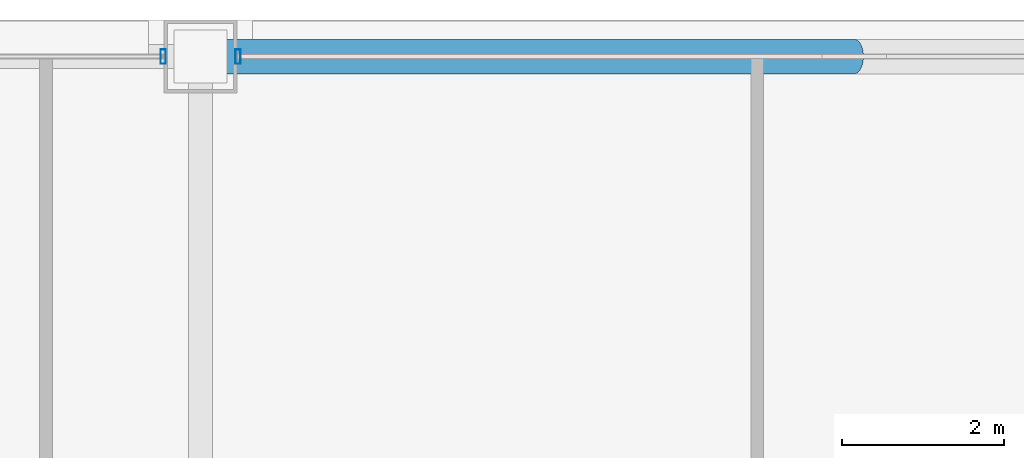
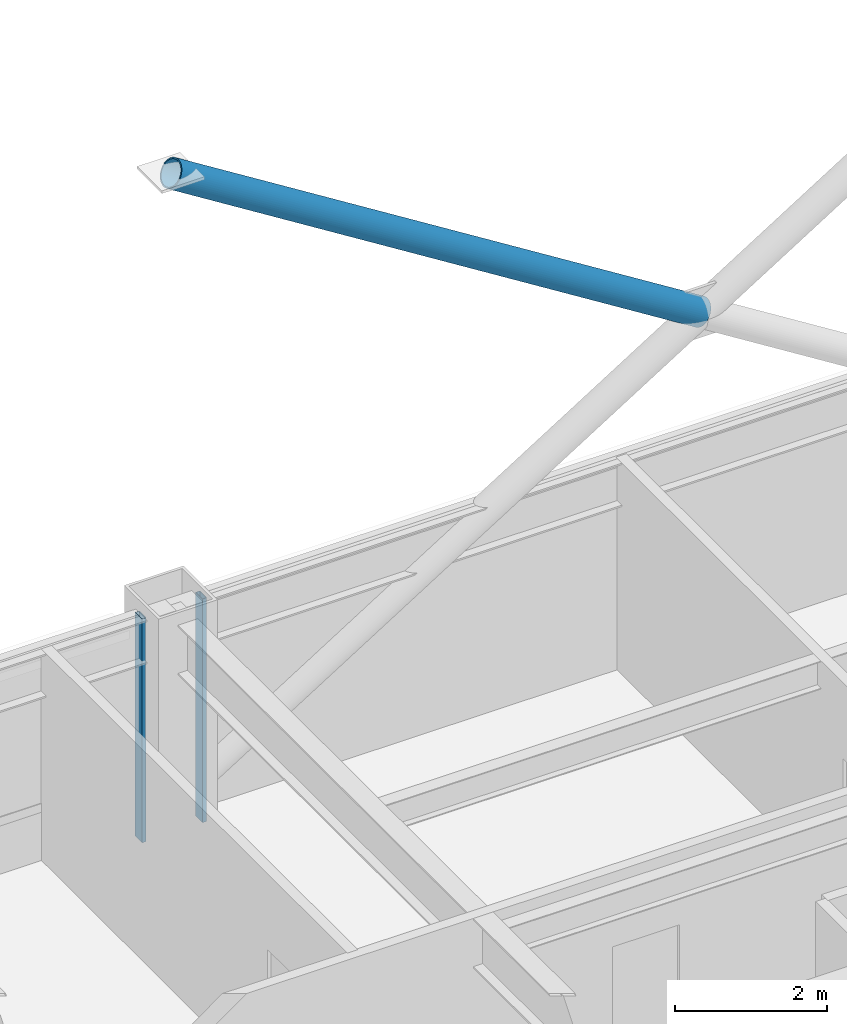
# One storey, part 19 of 29: 3 members, 2 elements without a shape of their own.
"""IFC4 building model written with IfcOpenShell, lengths in metres."""

from ifc_helpers import new_model, si_unit, direction, frame, origin, origin_2d, place, context, subcontext, project, spatial, hollow_rectangle, hollow_circle, extrude, material, layer, layer_set, material_profile, profile_set, type_object, element, aggregate, save


model = new_model("IFC4")

# Units and contexts
model_context = context("Model", 3, precision=1e-05, world=origin(), true_north=direction((0.0, 1.0)))
body_context = subcontext(model_context, "Body", "Model", "MODEL_VIEW")
ifc_project = project(units=[si_unit("LENGTHUNIT", "METRE"), si_unit("AREAUNIT", "SQUARE_METRE"), si_unit("VOLUMEUNIT", "CUBIC_METRE"), si_unit("PLANEANGLEUNIT", "RADIAN"), si_unit("MASSUNIT", "GRAM", prefix="KILO")], contexts=[model_context])

# Site, building, storey
site_placement = place(None, origin())
site = spatial("IfcSite", under=ifc_project, at=site_placement, CompositionType="ELEMENT")
building_placement = place(site_placement, origin())
building = spatial("IfcBuilding", under=site, at=building_placement, Name="Brelmoor Portico Tower", CompositionType="ELEMENT")
storey_placement = place(building_placement, frame((0.0, 0.0, 67.199951171875)))
storey = spatial("IfcBuildingStorey", under=building, at=storey_placement, Name="L17", CompositionType="ELEMENT", Elevation=67.199951171875)

# Member
ifc_material_1 = material(Name="Steel Q355B", Category="steel")
ifc_material_profile_1 = material_profile(ifc_material_1, hollow_circle(Radius=0.212890625, WallThickness=0.02001953125, at=origin_2d()), Name="CHS 426x20")
ifc_profile_set_1 = profile_set([ifc_material_profile_1], Name="Steel Q355B")
member_type_1 = type_object("IfcMemberType", Name="MB-BELT-DIAG1", PredefinedType="BRACE", material=ifc_profile_set_1)
member_1_placement = place(storey_placement, frame((0.0, 21.550048828125, 5.300048828125), z_axis=(-0.847109476093, 0.0, 0.531418418493), x_axis=(0.0, -1.0, 0.0)))
element("IfcMember", 1, at=member_1_placement, inside=storey, type_object=member_type_1, Name="L17 Split Mega-X Brace 037B2", PredefinedType="BRACE", context=body_context, shape_type="SweptSolid", body=[
    extrude(hollow_circle(Radius=0.212890625, WallThickness=0.02001953125, at=origin_2d()), origin(), (0.0, 0.0, 1.0), 9.5029296875),
])

# Curtain wall, member
ifc_material_2 = material(Name="Anodised Aluminium Alloy 6063-T6", Category="aluminium")
ifc_layer_1 = layer(ifc_material_2, 0.179931640625)
ifc_layer_set_1 = layer_set([ifc_layer_1], Name="Anodised Aluminium Alloy 6063-T6")
curtain_wall_type_1 = type_object("IfcCurtainWallType", Name="CW-TOWER-Z1", PredefinedType="NOTDEFINED", material=ifc_layer_set_1)
curtain_wall_1_placement = place(storey_placement, origin())
curtain_wall_1 = element("IfcCurtainWall", 2, at=curtain_wall_1_placement, inside=storey, type_object=curtain_wall_type_1, Name="L17 Curtain Wall CW-L17-02-2", PredefinedType="NOTDEFINED")
ifc_material_profile_2 = material_profile(ifc_material_2, hollow_rectangle(XDim=0.06494140625, YDim=0.179931640625, WallThickness=0.00390625, at=origin_2d()), Name="ALU MULLION 65x180")
ifc_profile_set_2 = profile_set([ifc_material_profile_2], Name="Anodised Aluminium Alloy 6063-T6")
member_type_2 = type_object("IfcMemberType", Name="MB-CW-MULL-180", PredefinedType="MULLION", material=ifc_profile_set_2)
member_2_placement = place(storey_placement, frame((-8.510009765625, 21.550048828125, -0.199951171875), z_axis=(0.0, 0.0, 1.0), x_axis=(1.0, 0.0, 0.0)))
member_2 = element("IfcMember", 3, at=member_2_placement, type_object=member_type_2, Name="CW-L17-02-2 Mullion 01", PredefinedType="MULLION", context=body_context, shape_type="SweptSolid", body=[
    extrude(hollow_rectangle(XDim=0.06494140625, YDim=0.179931640625, WallThickness=0.00390625, at=origin_2d()), origin(), (0.0, 0.0, 1.0), 3.60009765625),
])
aggregate(curtain_wall_1, [member_2])

ifc_layer_2 = layer(ifc_material_2, 0.179931640625)
ifc_layer_set_2 = layer_set([ifc_layer_2], Name="Anodised Aluminium Alloy 6063-T6")
curtain_wall_type_2 = type_object("IfcCurtainWallType", Name="CW-TOWER-Z1-XB", PredefinedType="NOTDEFINED", material=ifc_layer_set_2)
curtain_wall_2_placement = place(storey_placement, origin())
curtain_wall_2 = element("IfcCurtainWall", 4, at=curtain_wall_2_placement, inside=storey, type_object=curtain_wall_type_2, Name="L17 Curtain Wall CW-L17-02-3", PredefinedType="NOTDEFINED")
member_3_placement = place(storey_placement, frame((-7.590087890625, 21.550048828125, -0.199951171875), z_axis=(0.0, 0.0, 1.0), x_axis=(1.0, 0.0, 0.0)))
member_3 = element("IfcMember", 5, at=member_3_placement, type_object=member_type_2, Name="CW-L17-02-3 Mullion 00", PredefinedType="MULLION", context=body_context, shape_type="SweptSolid", body=[
    extrude(hollow_rectangle(XDim=0.06494140625, YDim=0.179931640625, WallThickness=0.00390625, at=origin_2d()), origin(), (0.0, 0.0, 1.0), 3.60009765625),
])
aggregate(curtain_wall_2, [member_3])

save(model, "model.ifc")
